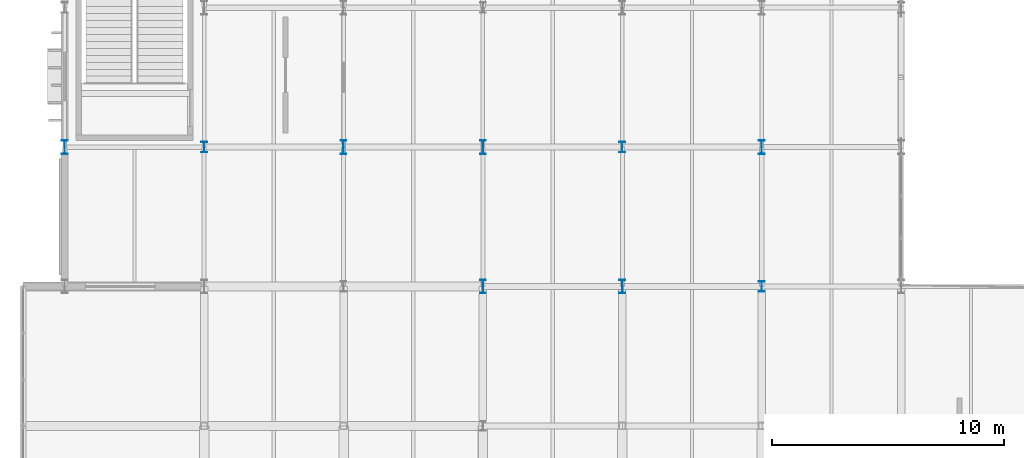
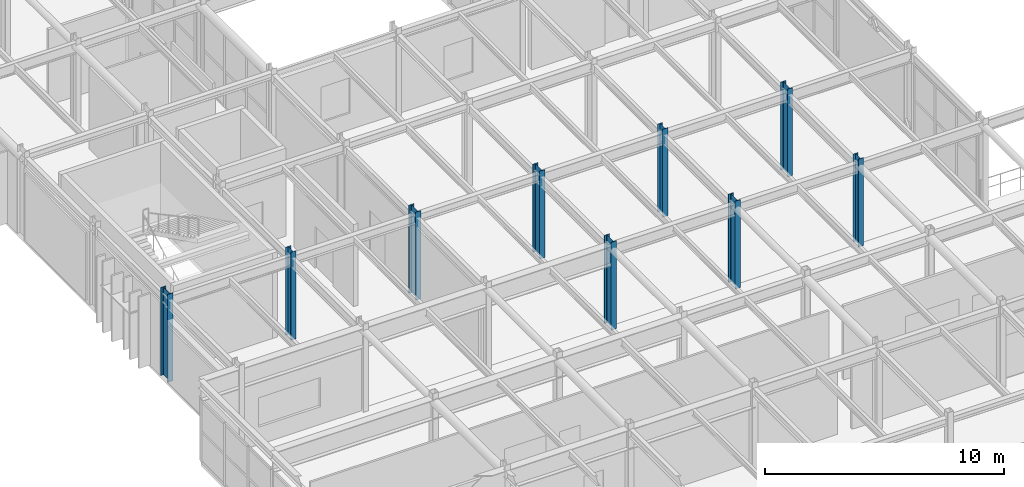
# One storey, part 2 of 96: 9 columns.
"""IFC4 building model written with IfcOpenShell, lengths in metres."""

from ifc_helpers import new_model, si_unit, direction, frame, origin, origin_2d, place, context, subcontext, project, spatial, i_section, extrude, material, material_profile, profile_set, type_object, element, save


model = new_model("IFC4")

# Units and contexts
model_context = context("Model", 3, precision=1e-05, world=origin(), true_north=direction((0.0, 1.0)))
body_context = subcontext(model_context, "Body", "Model", "MODEL_VIEW")
ifc_project = project(units=[si_unit("LENGTHUNIT", "METRE"), si_unit("AREAUNIT", "SQUARE_METRE"), si_unit("VOLUMEUNIT", "CUBIC_METRE"), si_unit("PLANEANGLEUNIT", "RADIAN"), si_unit("MASSUNIT", "GRAM", prefix="KILO")], contexts=[model_context])

# Site, building, storey
site_placement = place(None, origin())
site = spatial("IfcSite", under=ifc_project, at=site_placement, CompositionType="ELEMENT")
building_placement = place(site_placement, origin())
building = spatial("IfcBuilding", under=site, at=building_placement, Name="Varnakota Square Police Headquarters", CompositionType="ELEMENT")
storey_placement = place(building_placement, frame((0.0, 0.0, 4.800048828125)))
storey = spatial("IfcBuildingStorey", under=building, at=storey_placement, Name="L01", CompositionType="ELEMENT", Elevation=4.800048828125)

# Columns
ifc_material = material(Name="Steel IS 2062 Grade 350", Category="steel")
ifc_material_profile_1 = material_profile(ifc_material, i_section(OverallWidth=0.25, OverallDepth=0.449951171875, WebThickness=0.01123046875, FlangeThickness=0.013671875, FilletRadius=0.014892578125, at=origin_2d()), Name="ISHB 450")
ifc_profile_set_1 = profile_set([ifc_material_profile_1], Name="Steel IS 2062 Grade 350")
column_type_1 = type_object("IfcColumnType", Name="COL-ISHB450", PredefinedType="COLUMN", material=ifc_profile_set_1)
for number, where, z_axis, x_axis, name in (
    (1, (12.0, 27.0, 0.0), (0.0, 0.0, 1.0), (1.0, 0.0, 0.0), "Column X0120-Y0270 L01"),
    (2, (30.0, 27.0, 0.0), (0.0, 0.0, 1.0), (1.0, 0.0, 0.0), "Column X0300-Y0270 L01"),
    (3, (36.0, 21.0, 0.0), (0.0, 0.0, 1.0), (1.0, 0.0, 0.0), "Column X0360-Y0210 L01"),
):
    element("IfcColumn", number, at=place(storey_placement, frame(where, z_axis=z_axis, x_axis=x_axis)), inside=storey, type_object=column_type_1, Name=name, PredefinedType="COLUMN", context=body_context, shape_type="SweptSolid", body=[
        extrude(i_section(OverallWidth=0.25, OverallDepth=0.449951171875, WebThickness=0.01123046875, FlangeThickness=0.013671875, FilletRadius=0.014892578125, at=origin_2d()), origin(), (0.0, 0.0, 1.0), 4.5),
    ])
ifc_material_profile_2 = material_profile(ifc_material, i_section(OverallWidth=0.25, OverallDepth=0.60009765625, WebThickness=0.01171875, FlangeThickness=0.023681640625, FilletRadius=0.01708984375, at=origin_2d()), Name="ISWB 600")
ifc_profile_set_2 = profile_set([ifc_material_profile_2], Name="Steel IS 2062 Grade 350")
column_type_2 = type_object("IfcColumnType", Name="COL-ISWB600", PredefinedType="COLUMN", material=ifc_profile_set_2)
for number, where, z_axis, x_axis, name in (
    (4, (6.0, 27.0, 0.0), (0.0, 0.0, 1.0), (1.0, 0.0, 0.0), "Column X0060-Y0270 L01"),
    (5, (18.0, 27.0, 0.0), (0.0, 0.0, 1.0), (1.0, 0.0, 0.0), "Column X0180-Y0270 L01"),
    (6, (24.0, 21.0, 0.0), (0.0, 0.0, 1.0), (1.0, 0.0, 0.0), "Column X0240-Y0210 L01"),
    (7, (24.0, 27.0, 0.0), (0.0, 0.0, 1.0), (1.0, 0.0, 0.0), "Column X0240-Y0270 L01"),
    (8, (30.0, 21.0, 0.0), (0.0, 0.0, 1.0), (1.0, 0.0, 0.0), "Column X0300-Y0210 L01"),
    (9, (36.0, 27.0, 0.0), (0.0, 0.0, 1.0), (1.0, 0.0, 0.0), "Column X0360-Y0270 L01"),
):
    element("IfcColumn", number, at=place(storey_placement, frame(where, z_axis=z_axis, x_axis=x_axis)), inside=storey, type_object=column_type_2, Name=name, PredefinedType="COLUMN", context=body_context, shape_type="SweptSolid", body=[
        extrude(i_section(OverallWidth=0.25, OverallDepth=0.60009765625, WebThickness=0.01171875, FlangeThickness=0.023681640625, FilletRadius=0.01708984375, at=origin_2d()), origin(), (0.0, 0.0, 1.0), 4.5),
    ])

save(model, "model.ifc")
